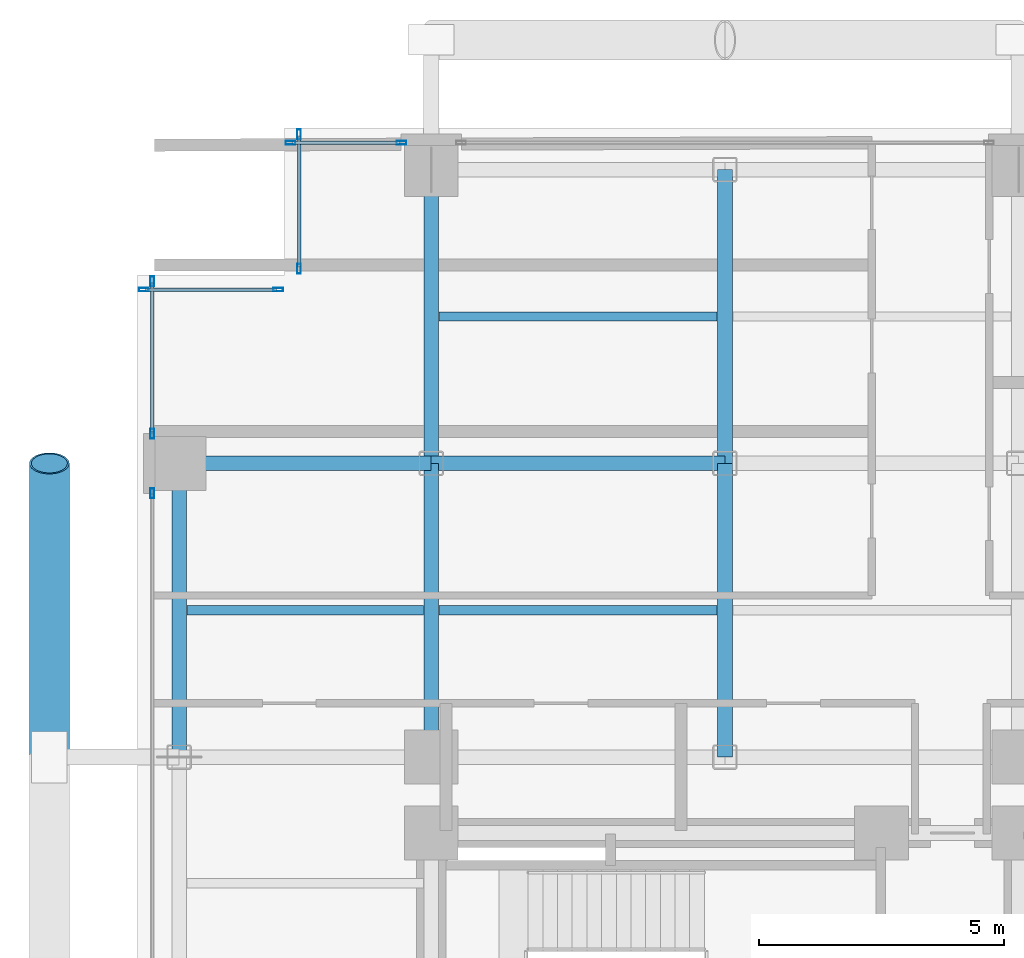
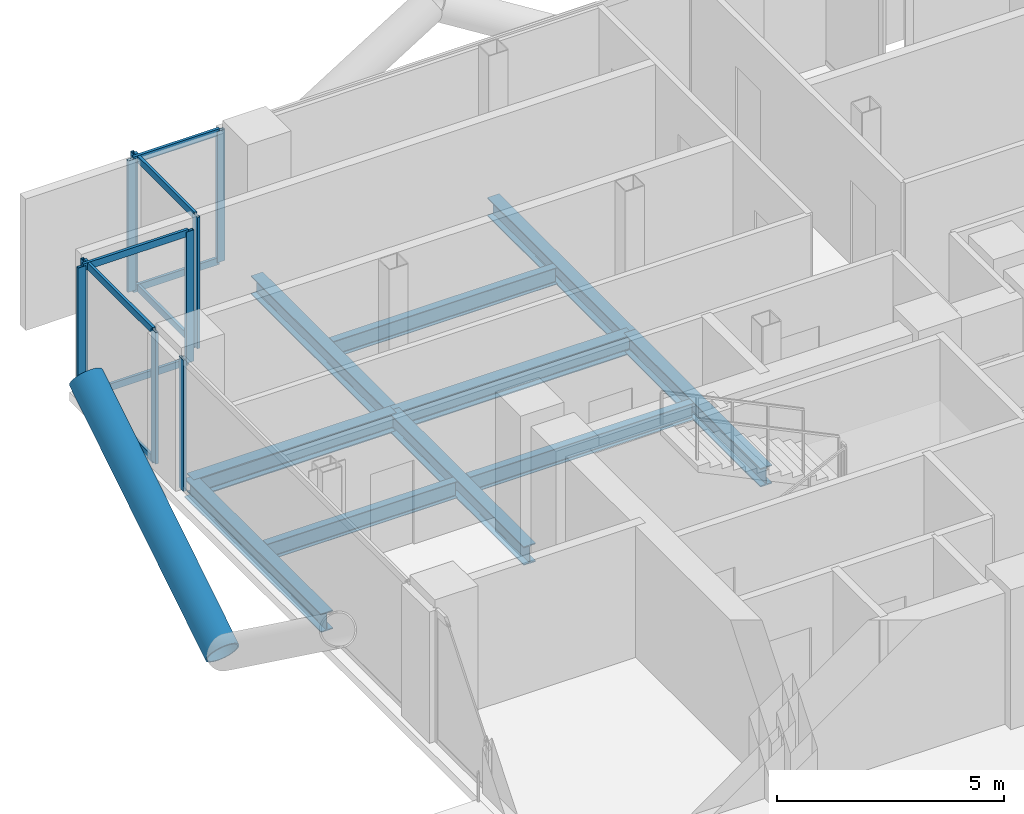
# One storey, part 14 of 24: 18 members, 10 beams, 5 elements without a shape of their own.
"""IFC4 building model written with IfcOpenShell, lengths in metres."""

from ifc_helpers import new_model, si_unit, direction, frame, origin, origin_2d, place, context, subcontext, project, spatial, hollow_rectangle, hollow_circle, i_section, extrude, material, layer, layer_set, material_profile, profile_set, type_object, element, aggregate, save


model = new_model("IFC4")

# Units and contexts
model_context = context("Model", 3, precision=1e-05, world=origin(), true_north=direction((0.0, 1.0)))
body_context = subcontext(model_context, "Body", "Model", "MODEL_VIEW")
ifc_project = project(units=[si_unit("LENGTHUNIT", "METRE"), si_unit("AREAUNIT", "SQUARE_METRE"), si_unit("VOLUMEUNIT", "CUBIC_METRE"), si_unit("PLANEANGLEUNIT", "RADIAN"), si_unit("MASSUNIT", "GRAM", prefix="KILO"), si_unit("THERMODYNAMICTEMPERATUREUNIT", "KELVIN"), si_unit("POWERUNIT", "WATT")], contexts=[model_context])

# Site, building, storey
site_placement = place(None, origin())
site = spatial("IfcSite", under=ifc_project, at=site_placement, CompositionType="ELEMENT")
building_placement = place(site_placement, origin())
building = spatial("IfcBuilding", under=site, at=building_placement, Name="Svarakhadi Broadcast Tower", CompositionType="ELEMENT")
storey_placement = place(building_placement, frame((0.0, 0.0, 126.89990234375)))
storey = spatial("IfcBuildingStorey", under=building, at=storey_placement, Name="L30", CompositionType="ELEMENT", Elevation=126.89990234375)

# Beams
ifc_material_1 = material(Name="Steel S355J2 (IS 2062 E350C)", Category="steel")
ifc_material_profile_1 = material_profile(ifc_material_1, i_section(OverallWidth=0.18994140625, OverallDepth=0.449951171875, WebThickness=0.009521484375, FlangeThickness=0.0146484375, FilletRadius=0.02099609375, at=origin_2d()), Name="NPB 450x190x78")
ifc_profile_set_1 = profile_set([ifc_material_profile_1], Name="Steel S355J2 (IS 2062 E350C)")
beam_type_1 = type_object("IfcBeamType", Name="Beam_NPB450", PredefinedType="BEAM", material=ifc_profile_set_1)
beam_1_placement = place(storey_placement, frame((1.010009765625, 32.14990234375, -0.449951171875), z_axis=(1.0, 0.0, 0.0), x_axis=(0.0, 1.0, 0.0)))
element("IfcBeam", 1, at=beam_1_placement, inside=storey, type_object=beam_type_1, Name="L30 Secondary Composite Beam SB005", PredefinedType="BEAM", context=body_context, shape_type="SweptSolid", body=[
    extrude(i_section(OverallWidth=0.18994140625, OverallDepth=0.449951171875, WebThickness=0.009521484375, FlangeThickness=0.0146484375, FilletRadius=0.02099609375, at=origin_2d()), origin(), (0.0, 0.0, 1.0), 4.830078125),
])
for number, where, z_axis, x_axis, name in (
    (2, (6.159912109375, 32.14990234375, -0.449951171875), (1.0, 0.0, 0.0), (0.0, 1.0, 0.0), "L30 Secondary Composite Beam SB009"),
    (3, (6.159912109375, 38.14990234375, -0.449951171875), (1.0, 0.0, 0.0), (0.0, 1.0, 0.0), "L30 Secondary Composite Beam SB010"),
):
    element("IfcBeam", number, at=place(storey_placement, frame(where, z_axis=z_axis, x_axis=x_axis)), inside=storey, type_object=beam_type_1, Name=name, PredefinedType="BEAM", context=body_context, shape_type="SweptSolid", body=[
        extrude(i_section(OverallWidth=0.18994140625, OverallDepth=0.449951171875, WebThickness=0.009521484375, FlangeThickness=0.0146484375, FilletRadius=0.02099609375, at=origin_2d()), origin(), (0.0, 0.0, 1.0), 5.68017578125),
    ])

# Curtain wall, member
ifc_material_2 = material(Name="Anodised Bronze Aluminium AA 6063-T6", Category="aluminium")
ifc_layer = layer(ifc_material_2, 0.199951171875)
ifc_layer_set = layer_set([ifc_layer], Name="Anodised Bronze Aluminium AA 6063-T6")
curtain_wall_type = type_object("IfcCurtainWallType", Name="CW_Sys_03", PredefinedType="NOTDEFINED", material=ifc_layer_set)
curtain_wall_1_placement = place(storey_placement, origin())
curtain_wall_1 = element("IfcCurtainWall", 4, at=curtain_wall_1_placement, inside=storey, type_object=curtain_wall_type, Name="L30 West Curtain Wall 03 Bay 2", PredefinedType="NOTDEFINED")
ifc_material_profile_2 = material_profile(ifc_material_2, hollow_rectangle(XDim=0.074951171875, YDim=0.199951171875, WallThickness=0.005615234375, at=origin_2d()), Name="ALU MULLION 200x75x6")
ifc_profile_set_2 = profile_set([ifc_material_profile_2], Name="Anodised Bronze Aluminium AA 6063-T6")
member_type_1 = type_object("IfcMemberType", Name="CW_Sys_03_Mul", PredefinedType="MULLION", material=ifc_profile_set_2)
member_1_placement = place(storey_placement, frame((0.300048828125, 34.54248046875, 0.0), z_axis=(0.0, 0.0, 1.0), x_axis=(-1.0, 0.0, 0.0)))
member_1 = element("IfcMember", 5, at=member_1_placement, type_object=member_type_1, Name="CW-03 mullion 2", PredefinedType="MULLION", context=body_context, shape_type="SweptSolid", body=[
    extrude(hollow_rectangle(XDim=0.074951171875, YDim=0.199951171875, WallThickness=0.005615234375, at=origin_2d()), origin(), (0.0, 0.0, 1.0), 3.525146484375),
])
aggregate(curtain_wall_1, [member_1])

# Curtain wall, members
curtain_wall_2_placement = place(storey_placement, origin())
curtain_wall_2 = element("IfcCurtainWall", 6, at=curtain_wall_2_placement, inside=storey, type_object=curtain_wall_type, Name="L30 West Curtain Wall 03 Bay 3", PredefinedType="NOTDEFINED")
member_2_placement = place(storey_placement, frame((0.300048828125, 35.757568359375, 0.0), z_axis=(0.0, 0.0, 1.0), x_axis=(-1.0, 0.0, 0.0)))
member_2 = element("IfcMember", 7, at=member_2_placement, type_object=member_type_1, Name="CW-03 mullion 1", PredefinedType="MULLION", context=body_context, shape_type="SweptSolid", body=[
    extrude(hollow_rectangle(XDim=0.074951171875, YDim=0.199951171875, WallThickness=0.005615234375, at=origin_2d()), origin(), (0.0, 0.0, 1.0), 3.525146484375),
])
member_3_placement = place(storey_placement, frame((0.300048828125, 38.87255859375, 0.0), z_axis=(0.0, 0.0, 1.0), x_axis=(-1.0, 0.0, 0.0)))
member_3 = element("IfcMember", 8, at=member_3_placement, type_object=member_type_1, Name="CW-03 mullion 2", PredefinedType="MULLION", context=body_context, shape_type="SweptSolid", body=[
    extrude(hollow_rectangle(XDim=0.074951171875, YDim=0.199951171875, WallThickness=0.005615234375, at=origin_2d()), origin(), (0.0, 0.0, 1.0), 3.525146484375),
])

curtain_wall_3_placement = place(storey_placement, origin())
curtain_wall_3 = element("IfcCurtainWall", 9, at=curtain_wall_3_placement, inside=storey, type_object=curtain_wall_type, Name="L30 Unitised Facade Curtain Wall 04", PredefinedType="NOTDEFINED")
member_4_placement = place(storey_placement, frame((0.12744140625, 38.699951171875, 0.0), z_axis=(0.0, 0.0, 1.0), x_axis=(0.0, 1.0, 0.0)))
member_4 = element("IfcMember", 10, at=member_4_placement, type_object=member_type_1, Name="CW-03 mullion 1", PredefinedType="MULLION", context=body_context, shape_type="SweptSolid", body=[
    extrude(hollow_rectangle(XDim=0.074951171875, YDim=0.199951171875, WallThickness=0.005615234375, at=origin_2d()), origin(), (0.0, 0.0, 1.0), 3.525146484375),
])
member_5_placement = place(storey_placement, frame((2.87255859375, 38.699951171875, 0.0), z_axis=(0.0, 0.0, 1.0), x_axis=(0.0, 1.0, 0.0)))
member_5 = element("IfcMember", 11, at=member_5_placement, type_object=member_type_1, Name="CW-03 mullion 2", PredefinedType="MULLION", context=body_context, shape_type="SweptSolid", body=[
    extrude(hollow_rectangle(XDim=0.074951171875, YDim=0.199951171875, WallThickness=0.005615234375, at=origin_2d()), origin(), (0.0, 0.0, 1.0), 3.525146484375),
])

curtain_wall_4_placement = place(storey_placement, origin())
curtain_wall_4 = element("IfcCurtainWall", 12, at=curtain_wall_4_placement, inside=storey, type_object=curtain_wall_type, Name="L30 Unitised Facade Curtain Wall 05", PredefinedType="NOTDEFINED")
member_6_placement = place(storey_placement, frame((3.300048828125, 39.12744140625, 0.0), z_axis=(0.0, 0.0, 1.0), x_axis=(-1.0, 0.0, 0.0)))
member_6 = element("IfcMember", 13, at=member_6_placement, type_object=member_type_1, Name="CW-03 mullion 1", PredefinedType="MULLION", context=body_context, shape_type="SweptSolid", body=[
    extrude(hollow_rectangle(XDim=0.074951171875, YDim=0.199951171875, WallThickness=0.005615234375, at=origin_2d()), origin(), (0.0, 0.0, 1.0), 3.525146484375),
])
member_7_placement = place(storey_placement, frame((3.300048828125, 41.87255859375, 0.0), z_axis=(0.0, 0.0, 1.0), x_axis=(-1.0, 0.0, 0.0)))
member_7 = element("IfcMember", 14, at=member_7_placement, type_object=member_type_1, Name="CW-03 mullion 2", PredefinedType="MULLION", context=body_context, shape_type="SweptSolid", body=[
    extrude(hollow_rectangle(XDim=0.074951171875, YDim=0.199951171875, WallThickness=0.005615234375, at=origin_2d()), origin(), (0.0, 0.0, 1.0), 3.525146484375),
])

curtain_wall_5_placement = place(storey_placement, origin())
curtain_wall_5 = element("IfcCurtainWall", 15, at=curtain_wall_5_placement, inside=storey, type_object=curtain_wall_type, Name="L30 Unitised Facade Curtain Wall 06 Bay 1", PredefinedType="NOTDEFINED")
member_8_placement = place(storey_placement, frame((3.12744140625, 41.699951171875, 0.0), z_axis=(0.0, 0.0, 1.0), x_axis=(0.0, 1.0, 0.0)))
member_8 = element("IfcMember", 16, at=member_8_placement, type_object=member_type_1, Name="CW-03 mullion 1", PredefinedType="MULLION", context=body_context, shape_type="SweptSolid", body=[
    extrude(hollow_rectangle(XDim=0.074951171875, YDim=0.199951171875, WallThickness=0.005615234375, at=origin_2d()), origin(), (0.0, 0.0, 1.0), 3.525146484375),
])
member_9_placement = place(storey_placement, frame((5.392578125, 41.699951171875, 0.0), z_axis=(0.0, 0.0, 1.0), x_axis=(0.0, 1.0, 0.0)))
member_9 = element("IfcMember", 17, at=member_9_placement, type_object=member_type_1, Name="CW-03 mullion 2", PredefinedType="MULLION", context=body_context, shape_type="SweptSolid", body=[
    extrude(hollow_rectangle(XDim=0.074951171875, YDim=0.199951171875, WallThickness=0.005615234375, at=origin_2d()), origin(), (0.0, 0.0, 1.0), 3.525146484375),
])

# Member
ifc_material_profile_3 = material_profile(ifc_material_2, hollow_rectangle(XDim=0.070068359375, YDim=0.18505859375, WallThickness=0.0048828125, at=origin_2d()), Name="ALU TRANSOM 185x70x5")
ifc_profile_set_3 = profile_set([ifc_material_profile_3], Name="Anodised Bronze Aluminium AA 6063-T6")
member_type_2 = type_object("IfcMemberType", Name="CW_Sys_03_Trn", PredefinedType="USERDEFINED", material=ifc_profile_set_3)
member_10_placement = place(storey_placement, frame((0.300048828125, 35.794921875, 0.03515625), z_axis=(0.0, 1.0, 0.0), x_axis=(-1.0, 0.0, 0.0)))
member_10 = element("IfcMember", 18, at=member_10_placement, type_object=member_type_2, Name="CW-03 transom 1.1", ObjectType="TRANSOM", PredefinedType="USERDEFINED", context=body_context, shape_type="SweptSolid", body=[
    extrude(hollow_rectangle(XDim=0.070068359375, YDim=0.18505859375, WallThickness=0.0048828125, at=origin_2d()), origin(), (0.0, 0.0, 1.0), 3.0400390625),
])

member_11_placement = place(storey_placement, frame((0.300048828125, 35.794921875, 3.489990234375), z_axis=(0.0, 1.0, 0.0), x_axis=(-1.0, 0.0, 0.0)))
member_11 = element("IfcMember", 19, at=member_11_placement, type_object=member_type_2, Name="CW-03 transom 1.2", ObjectType="TRANSOM", PredefinedType="USERDEFINED", context=body_context, shape_type="SweptSolid", body=[
    extrude(hollow_rectangle(XDim=0.070068359375, YDim=0.18505859375, WallThickness=0.0048828125, at=origin_2d()), origin(), (0.0, 0.0, 1.0), 3.0400390625),
])

aggregate(curtain_wall_2, [member_2, member_3, member_10, member_11])

member_12_placement = place(storey_placement, frame((0.1650390625, 38.699951171875, 0.03515625), z_axis=(1.0, 0.0, 0.0), x_axis=(0.0, 1.0, 0.0)))
member_12 = element("IfcMember", 20, at=member_12_placement, type_object=member_type_2, Name="CW-03 transom 1.1", ObjectType="TRANSOM", PredefinedType="USERDEFINED", context=body_context, shape_type="SweptSolid", body=[
    extrude(hollow_rectangle(XDim=0.070068359375, YDim=0.18505859375, WallThickness=0.0048828125, at=origin_2d()), origin(), (0.0, 0.0, 1.0), 2.669921875),
])

member_13_placement = place(storey_placement, frame((0.1650390625, 38.699951171875, 3.489990234375), z_axis=(1.0, 0.0, 0.0), x_axis=(0.0, 1.0, 0.0)))
member_13 = element("IfcMember", 21, at=member_13_placement, type_object=member_type_2, Name="CW-03 transom 1.2", ObjectType="TRANSOM", PredefinedType="USERDEFINED", context=body_context, shape_type="SweptSolid", body=[
    extrude(hollow_rectangle(XDim=0.070068359375, YDim=0.18505859375, WallThickness=0.0048828125, at=origin_2d()), origin(), (0.0, 0.0, 1.0), 2.669921875),
])

aggregate(curtain_wall_3, [member_4, member_5, member_12, member_13])

member_14_placement = place(storey_placement, frame((3.300048828125, 39.1650390625, 0.03515625), z_axis=(0.0, 1.0, 0.0), x_axis=(-1.0, 0.0, 0.0)))
member_14 = element("IfcMember", 22, at=member_14_placement, type_object=member_type_2, Name="CW-03 transom 1.1", ObjectType="TRANSOM", PredefinedType="USERDEFINED", context=body_context, shape_type="SweptSolid", body=[
    extrude(hollow_rectangle(XDim=0.070068359375, YDim=0.18505859375, WallThickness=0.0048828125, at=origin_2d()), origin(), (0.0, 0.0, 1.0), 2.669921875),
])

member_15_placement = place(storey_placement, frame((3.300048828125, 39.1650390625, 3.489990234375), z_axis=(0.0, 1.0, 0.0), x_axis=(-1.0, 0.0, 0.0)))
member_15 = element("IfcMember", 23, at=member_15_placement, type_object=member_type_2, Name="CW-03 transom 1.2", ObjectType="TRANSOM", PredefinedType="USERDEFINED", context=body_context, shape_type="SweptSolid", body=[
    extrude(hollow_rectangle(XDim=0.070068359375, YDim=0.18505859375, WallThickness=0.0048828125, at=origin_2d()), origin(), (0.0, 0.0, 1.0), 2.669921875),
])

aggregate(curtain_wall_4, [member_6, member_7, member_14, member_15])

member_16_placement = place(storey_placement, frame((3.1650390625, 41.699951171875, 0.03515625), z_axis=(1.0, 0.0, 0.0), x_axis=(0.0, 1.0, 0.0)))
member_16 = element("IfcMember", 24, at=member_16_placement, type_object=member_type_2, Name="CW-03 transom 1.1", ObjectType="TRANSOM", PredefinedType="USERDEFINED", context=body_context, shape_type="SweptSolid", body=[
    extrude(hollow_rectangle(XDim=0.070068359375, YDim=0.18505859375, WallThickness=0.0048828125, at=origin_2d()), origin(), (0.0, 0.0, 1.0), 2.18994140625),
])

member_17_placement = place(storey_placement, frame((3.1650390625, 41.699951171875, 3.489990234375), z_axis=(1.0, 0.0, 0.0), x_axis=(0.0, 1.0, 0.0)))
member_17 = element("IfcMember", 25, at=member_17_placement, type_object=member_type_2, Name="CW-03 transom 1.2", ObjectType="TRANSOM", PredefinedType="USERDEFINED", context=body_context, shape_type="SweptSolid", body=[
    extrude(hollow_rectangle(XDim=0.070068359375, YDim=0.18505859375, WallThickness=0.0048828125, at=origin_2d()), origin(), (0.0, 0.0, 1.0), 2.18994140625),
])

aggregate(curtain_wall_5, [member_8, member_9, member_16, member_17])

ifc_material_3 = material(Name="Steel S460ML (IS 2062 E450BR)", Category="steel")
ifc_material_profile_4 = material_profile(ifc_material_3, hollow_circle(Radius=0.406494140625, WallThickness=0.0400390625, at=origin_2d()), Name="CHS 813x40")
ifc_profile_set_4 = profile_set([ifc_material_profile_4], Name="Steel S460ML (IS 2062 E450BR)")
member_type_3 = type_object("IfcMemberType", Name="Exo_Brace_CHS813", PredefinedType="BRACE", material=ifc_profile_set_4)
member_18_placement = place(storey_placement, frame((-1.800048828125, 29.14990234375, -0.386962890625), z_axis=(0.0, 0.847998304005, 0.529998940003), x_axis=(-1.0, 0.0, 0.0)))
element("IfcMember", 26, at=member_18_placement, inside=storey, type_object=member_type_3, Name="L30 Exposed Bronze Exoskeleton Diagonal W05", PredefinedType="BRACE", context=body_context, shape_type="SweptSolid", body=[
    extrude(hollow_circle(Radius=0.406494140625, WallThickness=0.0400390625, at=origin_2d()), origin(), (0.0, 0.0, 1.0), 7.075439453125),
])

# Beams
ifc_material_profile_5 = material_profile(ifc_material_1, i_section(OverallWidth=0.300048828125, OverallDepth=0.5, WebThickness=0.014404296875, FlangeThickness=0.028076171875, FilletRadius=0.027099609375, at=origin_2d()), Name="WPB 500x300x187")
ifc_profile_set_5 = profile_set([ifc_material_profile_5], Name="Steel S355J2 (IS 2062 E350C)")
beam_type_2 = type_object("IfcBeamType", Name="Girder_WPB500", PredefinedType="USERDEFINED", material=ifc_profile_set_5)
beam_2_placement = place(storey_placement, frame((0.85009765625, 35.14990234375, -0.474853515625), z_axis=(1.0, 0.0, 0.0), x_axis=(0.0, 1.0, 0.0)))
element("IfcBeam", 27, at=beam_2_placement, inside=storey, type_object=beam_type_2, Name="L30 Primary E-W Girder G035", ObjectType="GIRDER", PredefinedType="USERDEFINED", context=body_context, shape_type="SweptSolid", body=[
    extrude(i_section(OverallWidth=0.300048828125, OverallDepth=0.5, WebThickness=0.014404296875, FlangeThickness=0.028076171875, FilletRadius=0.027099609375, at=origin_2d()), origin(), (0.0, 0.0, 1.0), 5.14990234375),
])
for number, where, z_axis, x_axis, name in (
    (28, (6.0, 35.14990234375, -0.474853515625), (1.0, 0.0, 0.0), (0.0, 1.0, 0.0), "L30 Primary E-W Girder G036"),
    (29, (0.85009765625, 29.14990234375, -0.474853515625), (0.0, 1.0, 0.0), (-1.0, 0.0, 0.0), "L30 Primary N-S Girder G044"),
    (30, (6.0, 29.14990234375, -0.474853515625), (0.0, 1.0, 0.0), (-1.0, 0.0, 0.0), "L30 Primary N-S Girder G049"),
    (31, (6.0, 35.14990234375, -0.474853515625), (0.0, 1.0, 0.0), (-1.0, 0.0, 0.0), "L30 Primary N-S Girder G050"),
    (32, (12.0, 29.14990234375, -0.474853515625), (0.0, 1.0, 0.0), (-1.0, 0.0, 0.0), "L30 Primary N-S Girder G054"),
    (33, (12.0, 35.14990234375, -0.474853515625), (0.0, 1.0, 0.0), (-1.0, 0.0, 0.0), "L30 Primary N-S Girder G055"),
):
    element("IfcBeam", number, at=place(storey_placement, frame(where, z_axis=z_axis, x_axis=x_axis)), inside=storey, type_object=beam_type_2, Name=name, ObjectType="GIRDER", PredefinedType="USERDEFINED", context=body_context, shape_type="SweptSolid", body=[
        extrude(i_section(OverallWidth=0.300048828125, OverallDepth=0.5, WebThickness=0.014404296875, FlangeThickness=0.028076171875, FilletRadius=0.027099609375, at=origin_2d()), origin(), (0.0, 0.0, 1.0), 6.0),
    ])

save(model, "model.ifc")
